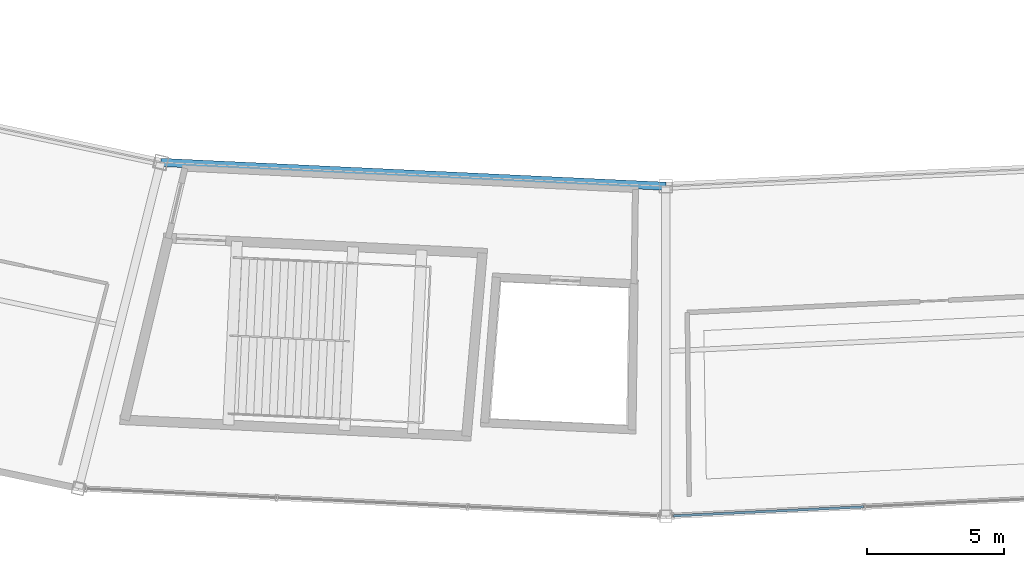
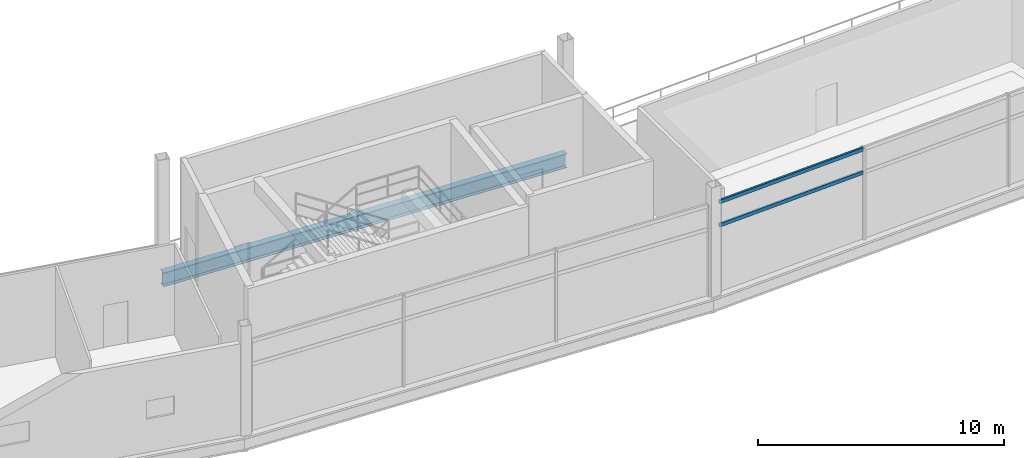
# One storey, part 27 of 103: 2 members, 1 beam, 1 element without a shape of its own.
"""IFC4 building model written with IfcOpenShell, lengths in metres."""

from ifc_helpers import new_model, si_unit, direction, frame, origin, origin_2d, place, context, subcontext, project, spatial, hollow_rectangle, i_section, extrude, material, layer, layer_set, material_profile, profile_set, type_object, element, aggregate, save


model = new_model("IFC4")

# Units and contexts
model_context = context("Model", 3, precision=1e-05, world=origin(), true_north=direction((0.0, 1.0)))
body_context = subcontext(model_context, "Body", "Model", "MODEL_VIEW")
ifc_project = project(units=[si_unit("LENGTHUNIT", "METRE"), si_unit("AREAUNIT", "SQUARE_METRE"), si_unit("VOLUMEUNIT", "CUBIC_METRE"), si_unit("PLANEANGLEUNIT", "RADIAN"), si_unit("MASSUNIT", "GRAM", prefix="KILO")], contexts=[model_context])

# Site, building, storey
site_placement = place(None, origin())
site = spatial("IfcSite", under=ifc_project, at=site_placement, CompositionType="ELEMENT")
building_placement = place(site_placement, origin())
building = spatial("IfcBuilding", under=site, at=building_placement, Name="Kazemori Nagisa Stadium", CompositionType="ELEMENT")
storey_placement = place(building_placement, frame((0.0, 0.0, 25.840087890625)))
storey = spatial("IfcBuildingStorey", under=building, at=storey_placement, Name="L05", CompositionType="ELEMENT", Elevation=25.840087890625)

# Beam
ifc_material_1 = material(Name="Steel SN490B", Category="steel")
ifc_material_profile_1 = material_profile(ifc_material_1, i_section(OverallWidth=0.300048828125, OverallDepth=0.699951171875, WebThickness=0.012939453125, FlangeThickness=0.02392578125, FilletRadius=0.01806640625, at=origin_2d()), Name="H-700x300x13x24")
ifc_profile_set_1 = profile_set([ifc_material_profile_1], Name="Steel SN490B")
beam_type = type_object("IfcBeamType", Name="Beam_BG-H700", PredefinedType="BEAM", material=ifc_profile_set_1)
beam_placement = place(storey_placement, frame((104.572265625, 28.911376953125, -0.610107421875), z_axis=(0.9988839804, -0.047231278829, 0.0), x_axis=(0.047231278829, 0.9988839804, 0.0)))
element("IfcBeam", 1, at=beam_placement, inside=storey, type_object=beam_type, Name="Ring girder BG-H700 L05 R2-21", PredefinedType="BEAM", context=body_context, shape_type="SweptSolid", body=[
    extrude(i_section(OverallWidth=0.300048828125, OverallDepth=0.699951171875, WebThickness=0.012939453125, FlangeThickness=0.02392578125, FilletRadius=0.01806640625, at=origin_2d()), origin(), (0.0, 0.0, 1.0), 18.4482421875),
])

# Curtain wall, members
ifc_material_2 = material(Name="Anodised aluminium 6063-T5", Category="aluminium")
ifc_layer = layer(ifc_material_2, 0.239990234375, Name="Anodised aluminium 6063-T5", Category="aluminium")
ifc_layer_set = layer_set([ifc_layer], Name="Anodised aluminium 6063-T5")
curtain_wall_type = type_object("IfcCurtainWallType", Name="CW_L05R3_105", PredefinedType="USERDEFINED", material=ifc_layer_set)
curtain_wall_placement = place(storey_placement, origin())
curtain_wall = element("IfcCurtainWall", 2, at=curtain_wall_placement, inside=storey, type_object=curtain_wall_type, Name="Unitised curtain wall CW-L05R3-105 L05", ObjectType="UNITISED CURTAIN WALL", PredefinedType="USERDEFINED")
ifc_material_3 = material(Name="Aluminium 6063-T5 anodised", Category="aluminium")
ifc_material_profile_2 = material_profile(ifc_material_3, hollow_rectangle(XDim=0.090087890625, YDim=0.179931640625, WallThickness=0.0048828125, at=origin_2d()), Name="ALU-TRAN-90x180x5")
ifc_profile_set_2 = profile_set([ifc_material_profile_2], Name="Aluminium 6063-T5 anodised")
member_type = type_object("IfcMemberType", Name="Transom_T03", PredefinedType="USERDEFINED", material=ifc_profile_set_2)
member_1_placement = place(storey_placement, frame((123.274658203125, 16.012939453125, 3.306884765625), z_axis=(0.998883524201, 0.047240925908, 0.0), x_axis=(-0.047240925908, 0.998883524201, 0.0)))
member_1 = element("IfcMember", 3, at=member_1_placement, type_object=member_type, Name="Curtain wall transom CW-L05R3-105-T1-mid", ObjectType="TRANSOM", PredefinedType="USERDEFINED", context=body_context, shape_type="SweptSolid", body=[
    extrude(hollow_rectangle(XDim=0.090087890625, YDim=0.179931640625, WallThickness=0.0048828125, at=origin_2d()), origin(), (0.0, 0.0, 1.0), 6.940673828125),
])
member_2_placement = place(storey_placement, frame((123.274658203125, 16.012939453125, 4.4599609375), z_axis=(0.998883524201, 0.047240925908, 0.0), x_axis=(-0.047240925908, 0.998883524201, 0.0)))
member_2 = element("IfcMember", 4, at=member_2_placement, type_object=member_type, Name="Curtain wall transom CW-L05R3-105-T1-head", ObjectType="TRANSOM", PredefinedType="USERDEFINED", context=body_context, shape_type="SweptSolid", body=[
    extrude(hollow_rectangle(XDim=0.090087890625, YDim=0.179931640625, WallThickness=0.0048828125, at=origin_2d()), origin(), (0.0, 0.0, 1.0), 6.940673828125),
])
aggregate(curtain_wall, [member_1, member_2])

save(model, "model.ifc")
